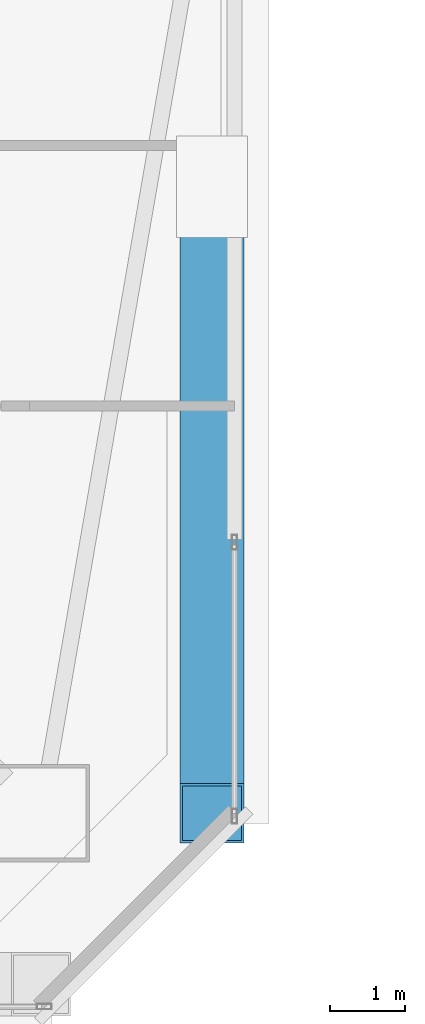
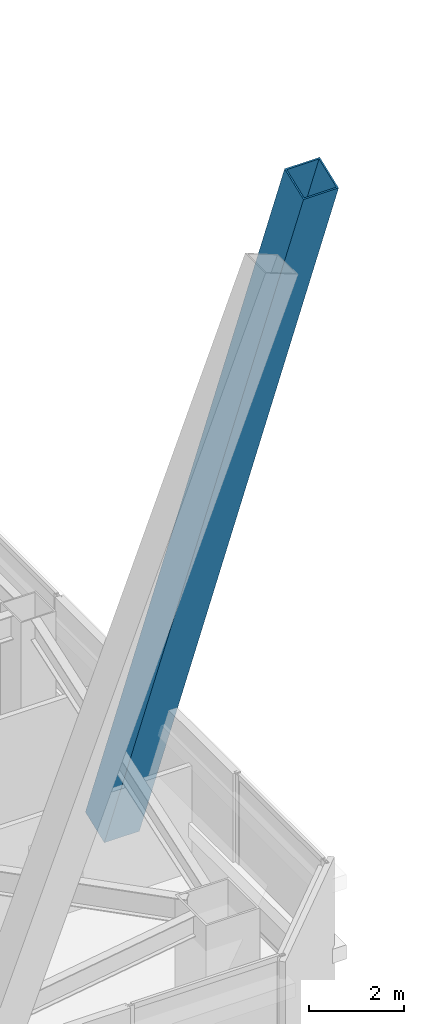
# One storey, part 13 of 54: 1 member.
"""IFC4 building model written with IfcOpenShell, lengths in metres."""

from ifc_helpers import new_model, si_unit, direction, frame, origin, origin_2d, place, context, subcontext, project, spatial, hollow_rectangle, extrude, material, material_profile, profile_set, type_object, element, save


model = new_model("IFC4")

# Units and contexts
model_context = context("Model", 3, precision=1e-05, world=origin(), true_north=direction((0.0, 1.0)))
body_context = subcontext(model_context, "Body", "Model", "MODEL_VIEW")
ifc_project = project(units=[si_unit("LENGTHUNIT", "METRE"), si_unit("AREAUNIT", "SQUARE_METRE"), si_unit("VOLUMEUNIT", "CUBIC_METRE"), si_unit("PLANEANGLEUNIT", "RADIAN"), si_unit("MASSUNIT", "GRAM", prefix="KILO")], contexts=[model_context])

# Site, building, storey
site_placement = place(None, origin())
site = spatial("IfcSite", under=ifc_project, at=site_placement, CompositionType="ELEMENT")
building_placement = place(site_placement, origin())
building = spatial("IfcBuilding", under=site, at=building_placement, Name="Tashvorn Skyway Center", CompositionType="ELEMENT")
storey_placement = place(building_placement, frame((0.0, 0.0, 135.699951171875)))
storey = spatial("IfcBuildingStorey", under=building, at=storey_placement, Name="L36", CompositionType="ELEMENT", Elevation=135.699951171875)

# Member
ifc_material = material(Name="Steel ASTM A572 Grade 50", Category="steel")
ifc_material_profile = material_profile(ifc_material, hollow_rectangle(XDim=0.85009765625, YDim=0.85009765625, WallThickness=0.034912109375, at=origin_2d()), Name="BOX850x850x35")
ifc_profile_set = profile_set([ifc_material_profile], Name="Steel ASTM A572 Grade 50")
member_type = type_object("IfcMemberType", Name="MEM-MB-850", PredefinedType="BRACE", material=ifc_profile_set)
member_placement = place(storey_placement, frame((60.97998046875, 23.64990234375, -0.449951171875), z_axis=(0.0, -0.361729555394, 0.932283073296), x_axis=(1.0, 0.0, 0.0)))
element("IfcMember", 1, at=member_placement, inside=storey, type_object=member_type, Name="Tower 1 Zone 3 E Chevron Mega-Brace L2", PredefinedType="BRACE", context=body_context, shape_type="SweptSolid", body=[
    extrude(hollow_rectangle(XDim=0.85009765625, YDim=0.85009765625, WallThickness=0.034912109375, at=origin_2d()), origin(), (0.0, 0.0, 1.0), 23.083251953125),
])

save(model, "model.ifc")
